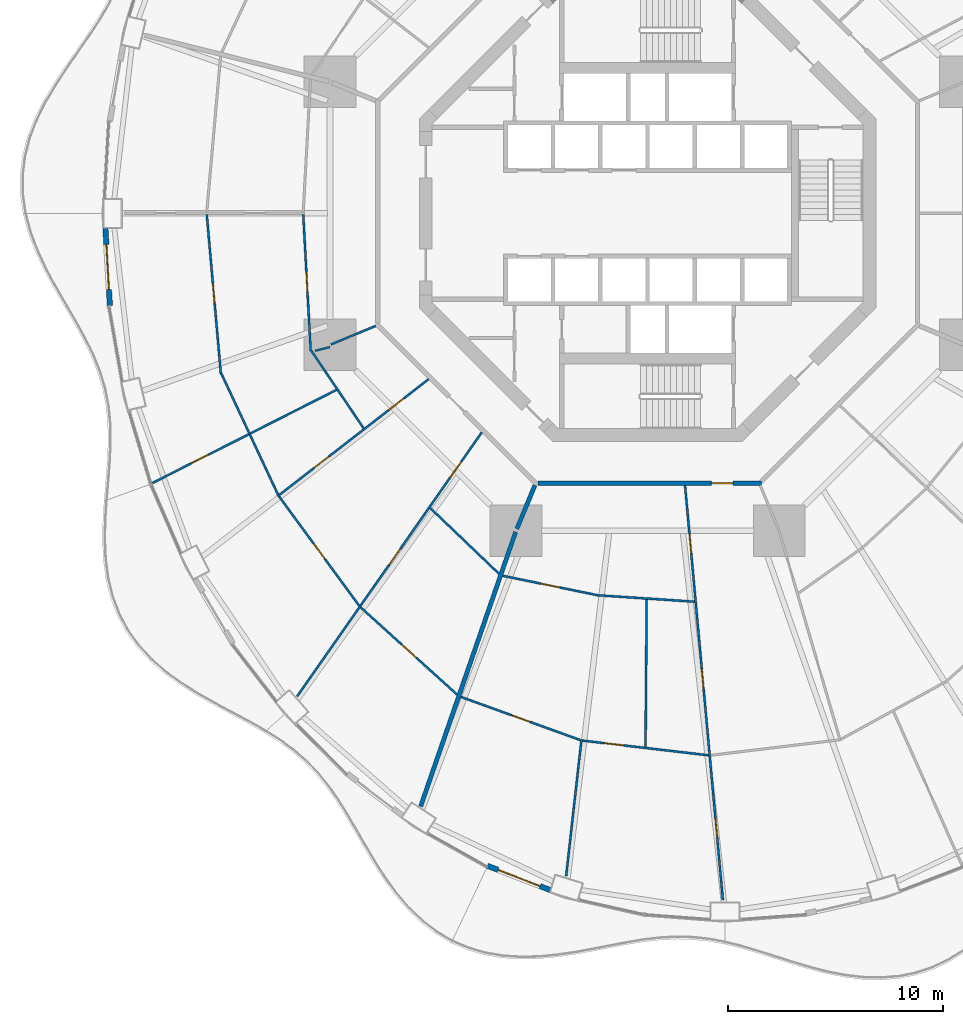
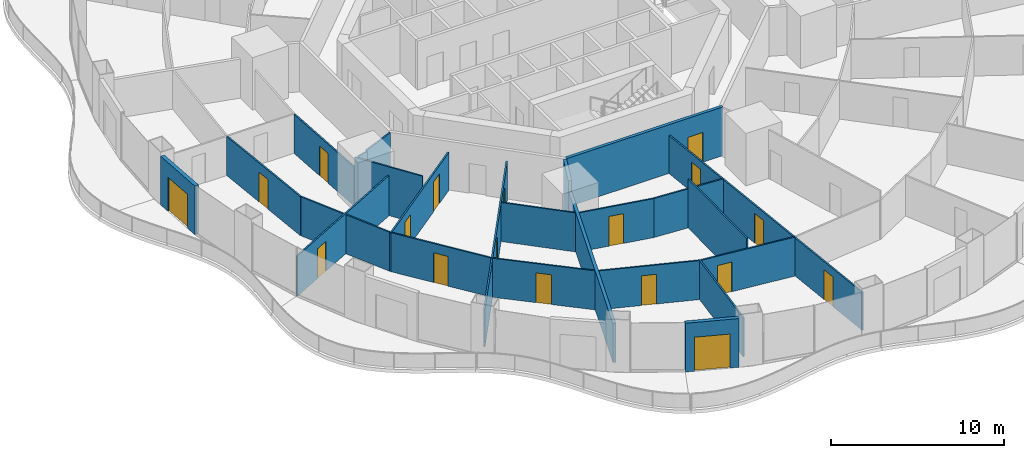
# One storey, part 14 of 22: 24 walls, 18 doors, 18 openings.
"""IFC4 building model written with IfcOpenShell, lengths in metres."""

from ifc_helpers import new_model, si_unit, direction, frame, frame_2d, origin, place, context, subcontext, project, spatial, rectangle, extrude, material, layer, layer_set, type_object, element, fill, save


model = new_model("IFC4")

# Units and contexts
model_context = context("Model", 3, precision=1e-05, world=origin(), true_north=direction((0.0, 1.0)))
body_context = subcontext(model_context, "Body", "Model", "MODEL_VIEW")
ifc_project = project(units=[si_unit("LENGTHUNIT", "METRE"), si_unit("AREAUNIT", "SQUARE_METRE"), si_unit("VOLUMEUNIT", "CUBIC_METRE"), si_unit("PLANEANGLEUNIT", "RADIAN"), si_unit("MASSUNIT", "GRAM", prefix="KILO")], contexts=[model_context])

# Site, building, storey
site_placement = place(None, origin())
site = spatial("IfcSite", under=ifc_project, at=site_placement, CompositionType="ELEMENT")
building_placement = place(site_placement, origin())
building = spatial("IfcBuilding", under=site, at=building_placement, Name="Nagisa Residences", CompositionType="ELEMENT")
storey_placement = place(building_placement, frame((0.0, 0.0, 34.39990234375)))
storey = spatial("IfcBuildingStorey", under=building, at=storey_placement, Name="L07", CompositionType="ELEMENT", Elevation=34.39990234375)

# Walls
ifc_material_1 = material(Name="Gypsum board on steel studs", Category="steel")
ifc_layer_1 = layer(ifc_material_1, 0.199951171875)
ifc_layer_set_1 = layer_set([ifc_layer_1], Name="Apartment compartment wall EI60 200")
wall_type_1 = type_object("IfcWallType", Name="Apartment compartment wall EI60 200", PredefinedType="PARTITIONING", material=ifc_layer_set_1)
wall_1_placement = place(storey_placement, frame((-5.24267578125, -12.6572265625, 0.0), z_axis=(0.0, 0.0, 1.0), x_axis=(-0.382668627144, -0.923885664896, 0.0)))
element("IfcWall", 1, at=wall_1_placement, inside=storey, type_object=wall_type_1, Name="wall:L07:u04", PredefinedType="PARTITIONING", context=body_context, shape_type="SweptSolid", body=[
    extrude(rectangle(XDim=2.200439453125, YDim=0.199951171875, at=frame_2d((1.10009765625, 0.0))), origin(), (0.0, 0.0, 1.0), 3.440185546875),
])
wall_2_placement = place(storey_placement, frame((-6.139404296875, -14.829345703125, 0.0), z_axis=(0.0, 0.0, 1.0), x_axis=(-0.327178799566, -0.944962450637, 0.0)))
element("IfcWall", 2, at=wall_2_placement, inside=storey, type_object=wall_type_1, Name="wall:L07:u05", PredefinedType="PARTITIONING", context=body_context, shape_type="SweptSolid", body=[
    extrude(rectangle(XDim=13.517333984375, YDim=0.199951171875, at=frame_2d((6.7587890625, 0.0))), origin(), (0.0, 0.0, 1.0), 2.756103515625),
])

# Wall, opening, door
ifc_material_2 = material(Name="Gypsum board on steel studs", Category="steel")
ifc_layer_2 = layer(ifc_material_2, 0.199951171875)
ifc_layer_set_2 = layer_set([ifc_layer_2], Name="Apartment entry wall EI60 200")
wall_type_2 = type_object("IfcWallType", Name="Apartment entry wall EI60 200", PredefinedType="PARTITIONING", material=ifc_layer_set_2)
wall_3_placement = place(storey_placement, frame((-5.1044921875, -12.564697265625, 0.0), z_axis=(0.0, 0.0, 1.0), x_axis=(1.0, 0.0, 0.0)))
wall_3 = element("IfcWall", 3, at=wall_3_placement, inside=storey, type_object=wall_type_2, Name="wall:L07:u14", PredefinedType="PARTITIONING", context=body_context, shape_type="SweptSolid", body=[
    extrude(rectangle(XDim=10.408935546875, YDim=0.199951171875, at=frame_2d((5.20458984375, 0.0))), origin(), (0.0, 0.0, 1.0), 3.440185546875),
])
opening_1_placement = place(wall_3_placement, frame((8.07421875, 0.0, 0.0)))
opening_1 = element("IfcOpeningElement", 4, at=opening_1_placement, cuts=wall_3, Name="Opening L07-U40", PredefinedType="OPENING", context=body_context, shape_type="SweptSolid", body=[
    extrude(rectangle(XDim=1.0, YDim=2.10009765625, at=frame_2d((0.5, 1.050048828125))), frame((0.0, 0.10986328125, 0.0), z_axis=(0.0, -1.0, 0.0), x_axis=(1.0, 0.0, 0.0)), (0.0, 0.0, 1.0), 0.219970703125),
])
ifc_material_3 = material(Name="Timber fire door set", Category="wood")
door_type_1 = type_object("IfcDoorType", Name="Apartment entry door FD30S 1000x2100", OperationType="NOTDEFINED", PredefinedType="DOOR", material=ifc_material_3)
door_1_placement = place(opening_1_placement, frame((1.0, 0.0, 0.0), x_axis=(-1.0, 0.0, 0.0)))
door_1 = element("IfcDoor", 5, at=door_1_placement, inside=storey, type_object=door_type_1, Name="Entry door, Apartment 07D", OperationType="SINGLE_SWING_LEFT", OverallHeight=2.10009765625, OverallWidth=1.0, PredefinedType="DOOR", context=body_context, shape_type="SweptSolid", body=[
    extrude(rectangle(XDim=1.0, YDim=2.10009765625, at=frame_2d((0.5, 1.050048828125))), frame((0.0, 0.02490234375, 0.0), z_axis=(0.0, -1.0, 0.0), x_axis=(1.0, 0.0, 0.0)), (0.0, 0.0, 1.0), 0.050048828125),
])
fill(opening_1, door_1)

ifc_material_4 = material(Name="Gypsum board on steel studs", Category="steel")
ifc_layer_3 = layer(ifc_material_4, 0.10009765625)
ifc_layer_set_3 = layer_set([ifc_layer_3], Name="Apartment partition 100")
wall_type_3 = type_object("IfcWallType", Name="Apartment partition 100", PredefinedType="PARTITIONING", material=ifc_layer_set_3)
wall_4_placement = place(storey_placement, frame((-16.027587890625, -0.050048828125, 0.0), z_axis=(0.0, 0.0, 1.0), x_axis=(0.054636410342, -0.998506315786, 0.0)))
wall_4 = element("IfcWall", 6, at=wall_4_placement, inside=storey, type_object=wall_type_3, Name="wall:L07:u59", PredefinedType="PARTITIONING", context=body_context, shape_type="SweptSolid", body=[
    extrude(rectangle(XDim=6.358642578125, YDim=0.10009765625, at=frame_2d((3.17919921875, 0.0))), origin(), (0.0, 0.0, 1.0), 2.756103515625),
])
opening_2_placement = place(wall_4_placement, frame((2.704345703125, 0.0, 0.0)))
opening_2 = element("IfcOpeningElement", 7, at=opening_2_placement, cuts=wall_4, Name="Opening L07-U38", PredefinedType="OPENING", context=body_context, shape_type="SweptSolid", body=[
    extrude(rectangle(XDim=0.89990234375, YDim=2.10009765625, at=frame_2d((0.449951171875, 1.050048828125))), frame((0.0, 0.06005859375, 0.0), z_axis=(0.0, -1.0, 0.0), x_axis=(1.0, 0.0, 0.0)), (0.0, 0.0, 1.0), 0.1201171875),
])
ifc_material_5 = material(Name="Timber door set", Category="wood")
door_type_2 = type_object("IfcDoorType", Name="Apartment door 900x2100", OperationType="NOTDEFINED", PredefinedType="DOOR", material=ifc_material_5)
door_2_placement = place(opening_2_placement, origin())
door_2 = element("IfcDoor", 8, at=door_2_placement, inside=storey, type_object=door_type_2, Name="Door to store, Apartment 07C", OperationType="SINGLE_SWING_RIGHT", OverallHeight=2.10009765625, OverallWidth=0.89990234375, PredefinedType="DOOR", context=body_context, shape_type="SweptSolid", body=[
    extrude(rectangle(XDim=0.89990234375, YDim=2.10009765625, at=frame_2d((0.449951171875, 1.050048828125))), frame((0.0, 0.02490234375, 0.0), z_axis=(0.0, -1.0, 0.0), x_axis=(1.0, 0.0, 0.0)), (0.0, 0.0, 1.0), 0.050048828125),
])
fill(opening_2, door_2)

wall_5_placement = place(storey_placement, frame((-20.518310546875, -0.0498046875, 0.0), z_axis=(0.0, 0.0, 1.0), x_axis=(0.088138375539, -0.996108240483, 0.0)))
wall_5 = element("IfcWall", 9, at=wall_5_placement, inside=storey, type_object=wall_type_3, Name="wall:L07:u60", PredefinedType="PARTITIONING", context=body_context, shape_type="SweptSolid", body=[
    extrude(rectangle(XDim=7.428955078125, YDim=0.10009765625, at=frame_2d((3.71435546875, 0.0))), origin(), (0.0, 0.0, 1.0), 2.756103515625),
])
opening_3_placement = place(wall_5_placement, frame((3.239501953125, 0.0, 0.0)))
opening_3 = element("IfcOpeningElement", 10, at=opening_3_placement, cuts=wall_5, Name="Opening L07-U36", PredefinedType="OPENING", context=body_context, shape_type="SweptSolid", body=[
    extrude(rectangle(XDim=0.89990234375, YDim=2.10009765625, at=frame_2d((0.449951171875, 1.050048828125))), frame((0.0, 0.06005859375, 0.0), z_axis=(0.0, -1.0, 0.0), x_axis=(1.0, 0.0, 0.0)), (0.0, 0.0, 1.0), 0.1201171875),
])
door_3_placement = place(opening_3_placement, origin())
door_3 = element("IfcDoor", 11, at=door_3_placement, inside=storey, type_object=door_type_2, Name="Door to dining room, Apartment 07C", OperationType="SINGLE_SWING_RIGHT", OverallHeight=2.10009765625, OverallWidth=0.89990234375, PredefinedType="DOOR", context=body_context, shape_type="SweptSolid", body=[
    extrude(rectangle(XDim=0.89990234375, YDim=2.10009765625, at=frame_2d((0.449951171875, 1.050048828125))), frame((0.0, 0.02490234375, 0.0), z_axis=(0.0, -1.0, 0.0), x_axis=(1.0, 0.0, 0.0)), (0.0, 0.0, 1.0), 0.050048828125),
])
fill(opening_3, door_3)

# Walls
wall_6_placement = place(storey_placement, frame((-12.6572265625, -5.24267578125, 0.0), z_axis=(0.0, 0.0, 1.0), x_axis=(-0.923864733477, -0.382719158442, 0.0)))
element("IfcWall", 12, at=wall_6_placement, inside=storey, type_object=wall_type_3, Name="wall:L07:u61", PredefinedType="PARTITIONING", context=body_context, shape_type="SweptSolid", body=[
    extrude(rectangle(XDim=2.25, YDim=0.10009765625, at=frame_2d((1.125, 0.0))), origin(), (0.0, 0.0, 1.0), 3.440185546875),
])
wall_7_placement = place(storey_placement, frame((-15.655029296875, -6.390625, 0.0), z_axis=(0.0, 0.0, 1.0), x_axis=(0.559126445155, -0.82908239538, 0.0)))
element("IfcWall", 13, at=wall_7_placement, inside=storey, type_object=wall_type_3, Name="wall:L07:u62", PredefinedType="PARTITIONING", context=body_context, shape_type="SweptSolid", body=[
    extrude(rectangle(XDim=4.358154296875, YDim=0.10009765625, at=frame_2d((2.17919921875, 0.0))), origin(), (0.0, 0.0, 1.0), 3.440185546875),
])
wall_8_placement = place(storey_placement, frame((-19.8466796875, -7.4453125, 0.0), z_axis=(0.0, 0.0, 1.0), x_axis=(0.423892287987, -0.905712607942, 0.0)))
element("IfcWall", 14, at=wall_8_placement, inside=storey, type_object=wall_type_3, Name="wall:L07:u63", PredefinedType="PARTITIONING", context=body_context, shape_type="SweptSolid", body=[
    extrude(rectangle(XDim=6.237548828125, YDim=0.10009765625, at=frame_2d((3.11865234375, 0.0))), origin(), (0.0, 0.0, 1.0), 2.756103515625),
])

# Wall, opening, door
wall_9_placement = place(storey_placement, frame((-14.481201171875, -8.2197265625, 0.0), z_axis=(0.0, 0.0, 1.0), x_axis=(-0.892232077638, -0.451577146935, 0.0)))
wall_9 = element("IfcWall", 15, at=wall_9_placement, inside=storey, type_object=wall_type_3, Name="wall:L07:u64", PredefinedType="PARTITIONING", context=body_context, shape_type="SweptSolid", body=[
    extrude(rectangle(XDim=9.723388671875, YDim=0.10009765625, at=frame_2d((4.86181640625, 0.0))), origin(), (0.0, 0.0, 1.0), 2.837158203125),
])
opening_4_placement = place(wall_9_placement, frame((6.678466796875, 0.0, 0.0)))
opening_4 = element("IfcOpeningElement", 16, at=opening_4_placement, cuts=wall_9, Name="Opening L07-U35", PredefinedType="OPENING", context=body_context, shape_type="SweptSolid", body=[
    extrude(rectangle(XDim=0.89990234375, YDim=2.10009765625, at=frame_2d((0.449951171875, 1.050048828125))), frame((0.0, 0.06005859375, 0.0), z_axis=(0.0, -1.0, 0.0), x_axis=(1.0, 0.0, 0.0)), (0.0, 0.0, 1.0), 0.1201171875),
])
door_4_placement = place(opening_4_placement, frame((0.89990234375, 0.0, 0.0), x_axis=(-1.0, 0.0, 0.0)))
door_4 = element("IfcDoor", 17, at=door_4_placement, inside=storey, type_object=door_type_2, Name="Door to family room, Apartment 07C", OperationType="SINGLE_SWING_RIGHT", OverallHeight=2.10009765625, OverallWidth=0.89990234375, PredefinedType="DOOR", context=body_context, shape_type="SweptSolid", body=[
    extrude(rectangle(XDim=0.89990234375, YDim=2.10009765625, at=frame_2d((0.449951171875, 1.050048828125))), frame((0.0, 0.02490234375, 0.0), z_axis=(0.0, -1.0, 0.0), x_axis=(1.0, 0.0, 0.0)), (0.0, 0.0, 1.0), 0.050048828125),
])
fill(opening_4, door_4)

# Wall, openings, doors
wall_10_placement = place(storey_placement, frame((-10.1904296875, -7.71923828125, 0.0), z_axis=(0.0, 0.0, 1.0), x_axis=(-0.790264549439, -0.612765813259, 0.0)))
wall_10 = element("IfcWall", 18, at=wall_10_placement, inside=storey, type_object=wall_type_3, Name="wall:L07:u65", PredefinedType="PARTITIONING", context=body_context, shape_type="SweptSolid", body=[
    extrude(rectangle(XDim=8.896484375, YDim=0.10009765625, at=frame_2d((4.4482421875, 0.0))), origin(), (0.0, 0.0, 1.0), 2.68701171875),
])
opening_5_placement = place(wall_10_placement, frame((1.447998046875, 0.0, 0.0)))
opening_5 = element("IfcOpeningElement", 19, at=opening_5_placement, cuts=wall_10, Name="Opening L07-U29", PredefinedType="OPENING", context=body_context, shape_type="SweptSolid", body=[
    extrude(rectangle(XDim=0.89990234375, YDim=2.10009765625, at=frame_2d((0.449951171875, 1.050048828125))), frame((0.0, 0.06005859375, 0.0), z_axis=(0.0, -1.0, 0.0), x_axis=(1.0, 0.0, 0.0)), (0.0, 0.0, 1.0), 0.1201171875),
])
opening_6_placement = place(wall_10_placement, frame((5.871337890625, 0.0, 0.0)))
opening_6 = element("IfcOpeningElement", 20, at=opening_6_placement, cuts=wall_10, Name="Opening L07-U31", PredefinedType="OPENING", context=body_context, shape_type="SweptSolid", body=[
    extrude(rectangle(XDim=0.89990234375, YDim=2.10009765625, at=frame_2d((0.449951171875, 1.050048828125))), frame((0.0, 0.06005859375, 0.0), z_axis=(0.0, -1.0, 0.0), x_axis=(1.0, 0.0, 0.0)), (0.0, 0.0, 1.0), 0.1201171875),
])
door_5_placement = place(opening_5_placement, frame((0.89990234375, 0.0, 0.0), x_axis=(-1.0, 0.0, 0.0)))
door_5 = element("IfcDoor", 21, at=door_5_placement, inside=storey, type_object=door_type_2, Name="Door to family bathroom, Apartment 07C", OperationType="SINGLE_SWING_RIGHT", OverallHeight=2.10009765625, OverallWidth=0.89990234375, PredefinedType="DOOR", context=body_context, shape_type="SweptSolid", body=[
    extrude(rectangle(XDim=0.89990234375, YDim=2.10009765625, at=frame_2d((0.449951171875, 1.050048828125))), frame((0.0, 0.02490234375, 0.0), z_axis=(0.0, -1.0, 0.0), x_axis=(1.0, 0.0, 0.0)), (0.0, 0.0, 1.0), 0.050048828125),
])
fill(opening_5, door_5)
door_6_placement = place(opening_6_placement, frame((0.89990234375, 0.0, 0.0), x_axis=(-1.0, 0.0, 0.0)))
door_6 = element("IfcDoor", 22, at=door_6_placement, inside=storey, type_object=door_type_2, Name="Door to family bathroom, Apartment 07C", OperationType="SINGLE_SWING_RIGHT", OverallHeight=2.10009765625, OverallWidth=0.89990234375, PredefinedType="DOOR", context=body_context, shape_type="SweptSolid", body=[
    extrude(rectangle(XDim=0.89990234375, YDim=2.10009765625, at=frame_2d((0.449951171875, 1.050048828125))), frame((0.0, 0.02490234375, 0.0), z_axis=(0.0, -1.0, 0.0), x_axis=(1.0, 0.0, 0.0)), (0.0, 0.0, 1.0), 0.050048828125),
])
fill(opening_6, door_6)

# Wall, opening, door
wall_11_placement = place(storey_placement, frame((-17.15185546875, -13.180419921875, 0.0), z_axis=(0.0, 0.0, 1.0), x_axis=(0.591222750954, -0.806508312886, 0.0)))
wall_11 = element("IfcWall", 23, at=wall_11_placement, inside=storey, type_object=wall_type_3, Name="wall:L07:u66", PredefinedType="PARTITIONING", context=body_context, shape_type="SweptSolid", body=[
    extrude(rectangle(XDim=6.309814453125, YDim=0.10009765625, at=frame_2d((3.15478515625, 0.0))), origin(), (0.0, 0.0, 1.0), 2.756103515625),
])
opening_7_placement = place(wall_11_placement, frame((2.705078125, 0.0, 0.0)))
opening_7 = element("IfcOpeningElement", 24, at=opening_7_placement, cuts=wall_11, Name="Opening L07-U33", PredefinedType="OPENING", context=body_context, shape_type="SweptSolid", body=[
    extrude(rectangle(XDim=0.89990234375, YDim=2.10009765625, at=frame_2d((0.449951171875, 1.050048828125))), frame((0.0, 0.06005859375, 0.0), z_axis=(0.0, -1.0, 0.0), x_axis=(1.0, 0.0, 0.0)), (0.0, 0.0, 1.0), 0.1201171875),
])
door_7_placement = place(opening_7_placement, frame((0.89990234375, 0.0, 0.0), x_axis=(-1.0, 0.0, 0.0)))
door_7 = element("IfcDoor", 25, at=door_7_placement, inside=storey, type_object=door_type_2, Name="Door to dining room, Apartment 07C", OperationType="SINGLE_SWING_RIGHT", OverallHeight=2.10009765625, OverallWidth=0.89990234375, PredefinedType="DOOR", context=body_context, shape_type="SweptSolid", body=[
    extrude(rectangle(XDim=0.89990234375, YDim=2.10009765625, at=frame_2d((0.449951171875, 1.050048828125))), frame((0.0, 0.02490234375, 0.0), z_axis=(0.0, -1.0, 0.0), x_axis=(1.0, 0.0, 0.0)), (0.0, 0.0, 1.0), 0.050048828125),
])
fill(opening_7, door_7)

# Wall, openings, doors
wall_12_placement = place(storey_placement, frame((-7.71533203125, -10.193359375, 0.0), z_axis=(0.0, 0.0, 1.0), x_axis=(-0.573126964124, -0.819466584428, 0.0)))
wall_12 = element("IfcWall", 26, at=wall_12_placement, inside=storey, type_object=wall_type_3, Name="wall:L07:u67", PredefinedType="PARTITIONING", context=body_context, shape_type="SweptSolid", body=[
    extrude(rectangle(XDim=15.0009765625, YDim=0.10009765625, at=frame_2d((7.50048828125, 0.0))), origin(), (0.0, 0.0, 1.0), 2.68701171875),
])
opening_8_placement = place(wall_12_placement, frame((1.678466796875, 0.0, 0.0)))
opening_8 = element("IfcOpeningElement", 27, at=opening_8_placement, cuts=wall_12, Name="Opening L07-U30", PredefinedType="OPENING", context=body_context, shape_type="SweptSolid", body=[
    extrude(rectangle(XDim=0.89990234375, YDim=2.10009765625, at=frame_2d((0.449951171875, 1.050048828125))), frame((0.0, 0.06005859375, 0.0), z_axis=(0.0, -1.0, 0.0), x_axis=(1.0, 0.0, 0.0)), (0.0, 0.0, 1.0), 0.1201171875),
])
opening_9_placement = place(wall_12_placement, frame((6.630615234375, 0.0, 0.0)))
opening_9 = element("IfcOpeningElement", 28, at=opening_9_placement, cuts=wall_12, Name="Opening L07-U32", PredefinedType="OPENING", context=body_context, shape_type="SweptSolid", body=[
    extrude(rectangle(XDim=0.89990234375, YDim=2.10009765625, at=frame_2d((0.449951171875, 1.050048828125))), frame((0.0, 0.06005859375, 0.0), z_axis=(0.0, -1.0, 0.0), x_axis=(1.0, 0.0, 0.0)), (0.0, 0.0, 1.0), 0.1201171875),
])
door_8_placement = place(opening_8_placement, origin())
door_8 = element("IfcDoor", 29, at=door_8_placement, inside=storey, type_object=door_type_2, Name="Door to family bathroom, Apartment 07C", OperationType="SINGLE_SWING_RIGHT", OverallHeight=2.10009765625, OverallWidth=0.89990234375, PredefinedType="DOOR", context=body_context, shape_type="SweptSolid", body=[
    extrude(rectangle(XDim=0.89990234375, YDim=2.10009765625, at=frame_2d((0.449951171875, 1.050048828125))), frame((0.0, 0.02490234375, 0.0), z_axis=(0.0, -1.0, 0.0), x_axis=(1.0, 0.0, 0.0)), (0.0, 0.0, 1.0), 0.050048828125),
])
fill(opening_8, door_8)
door_9_placement = place(opening_9_placement, origin())
door_9 = element("IfcDoor", 30, at=door_9_placement, inside=storey, type_object=door_type_2, Name="Door to family room, Apartment 07C", OperationType="SINGLE_SWING_RIGHT", OverallHeight=2.10009765625, OverallWidth=0.89990234375, PredefinedType="DOOR", context=body_context, shape_type="SweptSolid", body=[
    extrude(rectangle(XDim=0.89990234375, YDim=2.10009765625, at=frame_2d((0.449951171875, 1.050048828125))), frame((0.0, 0.02490234375, 0.0), z_axis=(0.0, -1.0, 0.0), x_axis=(1.0, 0.0, 0.0)), (0.0, 0.0, 1.0), 0.050048828125),
])
fill(opening_9, door_9)

# Wall
wall_13_placement = place(storey_placement, frame((-10.118896484375, -13.716064453125, 0.0), z_axis=(0.0, 0.0, 1.0), x_axis=(0.722775679202, -0.691082713975, 0.0)))
element("IfcWall", 31, at=wall_13_placement, inside=storey, type_object=wall_type_3, Name="wall:L07:u68", PredefinedType="PARTITIONING", context=body_context, shape_type="SweptSolid", body=[
    extrude(rectangle(XDim=4.43701171875, YDim=0.10009765625, at=frame_2d((2.218505859375, 0.0))), origin(), (0.0, 0.0, 1.0), 2.756103515625),
])

# Wall, opening, door
wall_14_placement = place(storey_placement, frame((-13.354736328125, -18.34326171875, 0.0), z_axis=(0.0, 0.0, 1.0), x_axis=(0.741713303551, -0.670717060567, 0.0)))
wall_14 = element("IfcWall", 32, at=wall_14_placement, inside=storey, type_object=wall_type_3, Name="wall:L07:u69", PredefinedType="PARTITIONING", context=body_context, shape_type="SweptSolid", body=[
    extrude(rectangle(XDim=6.05908203125, YDim=0.10009765625, at=frame_2d((3.029541015625, 0.0))), origin(), (0.0, 0.0, 1.0), 2.756103515625),
])
opening_10_placement = place(wall_14_placement, frame((2.57958984375, 0.0, 0.0)))
opening_10 = element("IfcOpeningElement", 33, at=opening_10_placement, cuts=wall_14, Name="Opening L07-U34", PredefinedType="OPENING", context=body_context, shape_type="SweptSolid", body=[
    extrude(rectangle(XDim=0.89990234375, YDim=2.10009765625, at=frame_2d((0.449951171875, 1.050048828125))), frame((0.0, 0.06005859375, 0.0), z_axis=(0.0, -1.0, 0.0), x_axis=(1.0, 0.0, 0.0)), (0.0, 0.0, 1.0), 0.1201171875),
])
door_10_placement = place(opening_10_placement, frame((0.89990234375, 0.0, 0.0), x_axis=(-1.0, 0.0, 0.0)))
door_10 = element("IfcDoor", 34, at=door_10_placement, inside=storey, type_object=door_type_2, Name="Door to master bedroom, Apartment 07C", OperationType="SINGLE_SWING_LEFT", OverallHeight=2.10009765625, OverallWidth=0.89990234375, PredefinedType="DOOR", context=body_context, shape_type="SweptSolid", body=[
    extrude(rectangle(XDim=0.89990234375, YDim=2.10009765625, at=frame_2d((0.449951171875, 1.050048828125))), frame((0.0, 0.02490234375, 0.0), z_axis=(0.0, -1.0, 0.0), x_axis=(1.0, 0.0, 0.0)), (0.0, 0.0, 1.0), 0.050048828125),
])
fill(opening_10, door_10)

wall_15_placement = place(storey_placement, frame((-6.741455078125, -16.871826171875, 0.0), z_axis=(0.0, 0.0, 1.0), x_axis=(0.979595137747, -0.200981009307, 0.0)))
wall_15 = element("IfcWall", 35, at=wall_15_placement, inside=storey, type_object=wall_type_3, Name="wall:L07:u70", PredefinedType="PARTITIONING", context=body_context, shape_type="SweptSolid", body=[
    extrude(rectangle(XDim=4.5625, YDim=0.10009765625, at=frame_2d((2.28125, 0.0))), origin(), (0.0, 0.0, 1.0), 2.756103515625),
])
opening_11_placement = place(wall_15_placement, frame((1.806396484375, 0.0, 0.0)))
opening_11 = element("IfcOpeningElement", 36, at=opening_11_placement, cuts=wall_15, Name="Opening L07-U44", PredefinedType="OPENING", context=body_context, shape_type="SweptSolid", body=[
    extrude(rectangle(XDim=0.89990234375, YDim=2.10009765625, at=frame_2d((0.449951171875, 1.050048828125))), frame((0.0, 0.06005859375, 0.0), z_axis=(0.0, -1.0, 0.0), x_axis=(1.0, 0.0, 0.0)), (0.0, 0.0, 1.0), 0.1201171875),
])
door_11_placement = place(opening_11_placement, frame((0.89990234375, 0.0, 0.0), x_axis=(-1.0, 0.0, 0.0)))
door_11 = element("IfcDoor", 37, at=door_11_placement, inside=storey, type_object=door_type_2, Name="Door to dining room, Apartment 07D", OperationType="SINGLE_SWING_LEFT", OverallHeight=2.10009765625, OverallWidth=0.89990234375, PredefinedType="DOOR", context=body_context, shape_type="SweptSolid", body=[
    extrude(rectangle(XDim=0.89990234375, YDim=2.10009765625, at=frame_2d((0.449951171875, 1.050048828125))), frame((0.0, 0.02490234375, 0.0), z_axis=(0.0, -1.0, 0.0), x_axis=(1.0, 0.0, 0.0)), (0.0, 0.0, 1.0), 0.050048828125),
])
fill(opening_11, door_11)

wall_16_placement = place(storey_placement, frame((-8.6923828125, -22.50830078125, 0.0), z_axis=(0.0, 0.0, 1.0), x_axis=(0.940401494588, -0.340066212636, 0.0)))
wall_16 = element("IfcWall", 38, at=wall_16_placement, inside=storey, type_object=wall_type_3, Name="wall:L07:u71", PredefinedType="PARTITIONING", context=body_context, shape_type="SweptSolid", body=[
    extrude(rectangle(XDim=5.9169921875, YDim=0.10009765625, at=frame_2d((2.95849609375, 0.0))), origin(), (0.0, 0.0, 1.0), 2.756103515625),
])
opening_12_placement = place(wall_16_placement, frame((2.508544921875, 0.0, 0.0)))
opening_12 = element("IfcOpeningElement", 39, at=opening_12_placement, cuts=wall_16, Name="Opening L07-U49", PredefinedType="OPENING", context=body_context, shape_type="SweptSolid", body=[
    extrude(rectangle(XDim=0.89990234375, YDim=2.10009765625, at=frame_2d((0.449951171875, 1.050048828125))), frame((0.0, 0.06005859375, 0.0), z_axis=(0.0, -1.0, 0.0), x_axis=(1.0, 0.0, 0.0)), (0.0, 0.0, 1.0), 0.1201171875),
])
door_12_placement = place(opening_12_placement, frame((0.89990234375, 0.0, 0.0), x_axis=(-1.0, 0.0, 0.0)))
door_12 = element("IfcDoor", 40, at=door_12_placement, inside=storey, type_object=door_type_2, Name="Door to master bedroom, Apartment 07D", OperationType="SINGLE_SWING_RIGHT", OverallHeight=2.10009765625, OverallWidth=0.89990234375, PredefinedType="DOOR", context=body_context, shape_type="SweptSolid", body=[
    extrude(rectangle(XDim=0.89990234375, YDim=2.10009765625, at=frame_2d((0.449951171875, 1.050048828125))), frame((0.0, 0.02490234375, 0.0), z_axis=(0.0, -1.0, 0.0), x_axis=(1.0, 0.0, 0.0)), (0.0, 0.0, 1.0), 0.050048828125),
])
fill(opening_12, door_12)

# Walls
wall_17_placement = place(storey_placement, frame((-2.27099609375, -17.781982421875, 0.0), z_axis=(0.0, 0.0, 1.0), x_axis=(0.997791437766, -0.066424744789, 0.0)))
element("IfcWall", 41, at=wall_17_placement, inside=storey, type_object=wall_type_3, Name="wall:L07:u72", PredefinedType="PARTITIONING", context=body_context, shape_type="SweptSolid", body=[
    extrude(rectangle(XDim=4.46923828125, YDim=0.10009765625, at=frame_2d((2.234619140625, 0.0))), origin(), (0.0, 0.0, 1.0), 2.756103515625),
])
wall_18_placement = place(storey_placement, frame((-3.0751953125, -24.48779296875, 0.0), z_axis=(0.0, 0.0, 1.0), x_axis=(-0.111705235978, -0.993741384997, 0.0)))
element("IfcWall", 42, at=wall_18_placement, inside=storey, type_object=wall_type_3, Name="wall:L07:u73", PredefinedType="PARTITIONING", context=body_context, shape_type="SweptSolid", body=[
    extrude(rectangle(XDim=6.39501953125, YDim=0.10009765625, at=frame_2d((3.197509765625, 0.0))), origin(), (0.0, 0.0, 1.0), 2.756103515625),
])

# Wall, opening, door
wall_19_placement = place(storey_placement, frame((-3.03125, -24.543212890625, 0.0), z_axis=(0.0, 0.0, 1.0), x_axis=(0.993255612046, -0.115945198862, 0.0)))
wall_19 = element("IfcWall", 43, at=wall_19_placement, inside=storey, type_object=wall_type_3, Name="wall:L07:u74", PredefinedType="PARTITIONING", context=body_context, shape_type="SweptSolid", body=[
    extrude(rectangle(XDim=5.91259765625, YDim=0.10009765625, at=frame_2d((2.956298828125, 0.0))), origin(), (0.0, 0.0, 1.0), 2.756103515625),
])
opening_13_placement = place(wall_19_placement, frame((1.028076171875, 0.0, 0.0)))
opening_13 = element("IfcOpeningElement", 44, at=opening_13_placement, cuts=wall_19, Name="Opening L07-U50", PredefinedType="OPENING", context=body_context, shape_type="SweptSolid", body=[
    extrude(rectangle(XDim=0.89990234375, YDim=2.10009765625, at=frame_2d((0.449951171875, 1.050048828125))), frame((0.0, 0.06005859375, 0.0), z_axis=(0.0, -1.0, 0.0), x_axis=(1.0, 0.0, 0.0)), (0.0, 0.0, 1.0), 0.1201171875),
])
door_13_placement = place(opening_13_placement, frame((0.89990234375, 0.0, 0.0), x_axis=(-1.0, 0.0, 0.0)))
door_13 = element("IfcDoor", 45, at=door_13_placement, inside=storey, type_object=door_type_2, Name="Door to family room, Apartment 07D", OperationType="SINGLE_SWING_LEFT", OverallHeight=2.10009765625, OverallWidth=0.89990234375, PredefinedType="DOOR", context=body_context, shape_type="SweptSolid", body=[
    extrude(rectangle(XDim=0.89990234375, YDim=2.10009765625, at=frame_2d((0.449951171875, 1.050048828125))), frame((0.0, 0.02490234375, 0.0), z_axis=(0.0, -1.0, 0.0), x_axis=(1.0, 0.0, 0.0)), (0.0, 0.0, 1.0), 0.050048828125),
])
fill(opening_13, door_13)

# Wall
wall_20_placement = place(storey_placement, frame((-0.041748046875, -17.98046875, 0.0), z_axis=(0.0, 0.0, 1.0), x_axis=(-0.007692080119, -0.999970415514, 0.0)))
element("IfcWall", 46, at=wall_20_placement, inside=storey, type_object=wall_type_3, Name="wall:L07:u75", PredefinedType="PARTITIONING", context=body_context, shape_type="SweptSolid", body=[
    extrude(rectangle(XDim=6.855712890625, YDim=0.10009765625, at=frame_2d((3.427734375, 0.0))), origin(), (0.0, 0.0, 1.0), 3.440185546875),
])

# Wall, openings, doors
wall_21_placement = place(storey_placement, frame((1.743896484375, -12.664306640625, 0.0), z_axis=(0.0, 0.0, 1.0), x_axis=(0.090893639596, -0.995860605849, 0.0)))
wall_21 = element("IfcWall", 47, at=wall_21_placement, inside=storey, type_object=wall_type_3, Name="wall:L07:u76", PredefinedType="PARTITIONING", context=body_context, shape_type="SweptSolid", body=[
    extrude(rectangle(XDim=19.3740234375, YDim=0.10009765625, at=frame_2d((9.68701171875, 0.0))), origin(), (0.0, 0.0, 1.0), 2.68701171875),
])
opening_14_placement = place(wall_21_placement, frame((2.270263671875, 0.0, 0.0)))
opening_14 = element("IfcOpeningElement", 48, at=opening_14_placement, cuts=wall_21, Name="Opening L07-U41", PredefinedType="OPENING", context=body_context, shape_type="SweptSolid", body=[
    extrude(rectangle(XDim=0.89990234375, YDim=2.10009765625, at=frame_2d((0.449951171875, 1.050048828125))), frame((0.0, 0.06005859375, 0.0), z_axis=(0.0, -1.0, 0.0), x_axis=(1.0, 0.0, 0.0)), (0.0, 0.0, 1.0), 0.1201171875),
])
opening_15_placement = place(wall_21_placement, frame((8.58154296875, 0.0, 0.0)))
opening_15 = element("IfcOpeningElement", 49, at=opening_15_placement, cuts=wall_21, Name="Opening L07-U45", PredefinedType="OPENING", context=body_context, shape_type="SweptSolid", body=[
    extrude(rectangle(XDim=0.89990234375, YDim=2.10009765625, at=frame_2d((0.449951171875, 1.050048828125))), frame((0.0, 0.06005859375, 0.0), z_axis=(0.0, -1.0, 0.0), x_axis=(1.0, 0.0, 0.0)), (0.0, 0.0, 1.0), 0.1201171875),
])
opening_16_placement = place(wall_21_placement, frame((15.54833984375, 0.0, 0.0)))
opening_16 = element("IfcOpeningElement", 50, at=opening_16_placement, cuts=wall_21, Name="Opening L07-U51", PredefinedType="OPENING", context=body_context, shape_type="SweptSolid", body=[
    extrude(rectangle(XDim=0.89990234375, YDim=2.10009765625, at=frame_2d((0.449951171875, 1.050048828125))), frame((0.0, 0.06005859375, 0.0), z_axis=(0.0, -1.0, 0.0), x_axis=(1.0, 0.0, 0.0)), (0.0, 0.0, 1.0), 0.1201171875),
])
door_14_placement = place(opening_14_placement, frame((0.89990234375, 0.0, 0.0), x_axis=(-1.0, 0.0, 0.0)))
door_14 = element("IfcDoor", 51, at=door_14_placement, inside=storey, type_object=door_type_2, Name="Door to store, Apartment 07D", OperationType="SINGLE_SWING_RIGHT", OverallHeight=2.10009765625, OverallWidth=0.89990234375, PredefinedType="DOOR", context=body_context, shape_type="SweptSolid", body=[
    extrude(rectangle(XDim=0.89990234375, YDim=2.10009765625, at=frame_2d((0.449951171875, 1.050048828125))), frame((0.0, 0.02490234375, 0.0), z_axis=(0.0, -1.0, 0.0), x_axis=(1.0, 0.0, 0.0)), (0.0, 0.0, 1.0), 0.050048828125),
])
fill(opening_14, door_14)
door_15_placement = place(opening_15_placement, frame((0.89990234375, 0.0, 0.0), x_axis=(-1.0, 0.0, 0.0)))
door_15 = element("IfcDoor", 52, at=door_15_placement, inside=storey, type_object=door_type_2, Name="Door to family bathroom, Apartment 07D", OperationType="SINGLE_SWING_RIGHT", OverallHeight=2.10009765625, OverallWidth=0.89990234375, PredefinedType="DOOR", context=body_context, shape_type="SweptSolid", body=[
    extrude(rectangle(XDim=0.89990234375, YDim=2.10009765625, at=frame_2d((0.449951171875, 1.050048828125))), frame((0.0, 0.02490234375, 0.0), z_axis=(0.0, -1.0, 0.0), x_axis=(1.0, 0.0, 0.0)), (0.0, 0.0, 1.0), 0.050048828125),
])
fill(opening_15, door_15)
door_16_placement = place(opening_16_placement, origin())
door_16 = element("IfcDoor", 53, at=door_16_placement, inside=storey, type_object=door_type_2, Name="Door to dining room, Apartment 07D", OperationType="SINGLE_SWING_LEFT", OverallHeight=2.10009765625, OverallWidth=0.89990234375, PredefinedType="DOOR", context=body_context, shape_type="SweptSolid", body=[
    extrude(rectangle(XDim=0.89990234375, YDim=2.10009765625, at=frame_2d((0.449951171875, 1.050048828125))), frame((0.0, 0.02490234375, 0.0), z_axis=(0.0, -1.0, 0.0), x_axis=(1.0, 0.0, 0.0)), (0.0, 0.0, 1.0), 0.050048828125),
])
fill(opening_16, door_16)

# Wall
wall_22_placement = place(storey_placement, frame((-15.46875, -6.3984375, 0.0), z_axis=(0.0, 0.0, 1.0), x_axis=(0.969858002632, 0.243670791706, 0.0)))
element("IfcWall", 54, at=wall_22_placement, inside=storey, type_object=wall_type_3, Name="wall:L07:u92", PredefinedType="PARTITIONING", context=body_context, shape_type="SweptSolid", body=[
    extrude(rectangle(XDim=0.708251953125, YDim=0.10009765625, at=frame_2d((0.35400390625, 0.0))), origin(), (0.0, 0.0, 1.0), 3.440185546875),
])

# Wall, opening, door
ifc_material_6 = material(Name="Precast concrete C40/50", Category="concrete")
ifc_layer_4 = layer(ifc_material_6, 0.25)
ifc_layer_set_4 = layer_set([ifc_layer_4], Name="BALCONY DOOR WALL 250")
wall_type_4 = type_object("IfcWallType", Name="BALCONY DOOR WALL 250", PredefinedType="SOLIDWALL", material=ifc_layer_set_4)
wall_23_placement = place(storey_placement, frame((-25.027099609375, -4.30029296875, 0.0), z_axis=(0.0, 0.0, 1.0), x_axis=(-0.057478727308, 0.998346731305, 0.0)))
wall_23 = element("IfcWall", 55, at=wall_23_placement, inside=storey, type_object=wall_type_4, Name="wall:L07:bay24", PredefinedType="SOLIDWALL", context=body_context, shape_type="SweptSolid", body=[
    extrude(rectangle(XDim=3.614501953125, YDim=0.25, at=frame_2d((1.80712890625, 0.0))), origin(), (0.0, 0.0, 1.0), 3.440185546875),
])
opening_17_placement = place(wall_23_placement, frame((0.75732421875, 0.0, 0.0)))
opening_17 = element("IfcOpeningElement", 56, at=opening_17_placement, cuts=wall_23, Name="Opening BD-L07-09", PredefinedType="OPENING", context=body_context, shape_type="SweptSolid", body=[
    extrude(rectangle(XDim=2.10009765625, YDim=2.39990234375, at=frame_2d((1.050048828125, 1.199951171875))), frame((0.0, 0.135009765625, 0.0), z_axis=(0.0, -1.0, 0.0), x_axis=(1.0, 0.0, 0.0)), (0.0, 0.0, 1.0), 0.27001953125),
])
ifc_material_7 = material(Name="Aluminium and clear glass", Category="aluminium")
door_type_3 = type_object("IfcDoorType", Name="BALCONY SLIDING DOOR 2100x2400", OperationType="SLIDING_TO_LEFT", PredefinedType="DOOR", material=ifc_material_7)
door_17_placement = place(opening_17_placement, origin())
door_17 = element("IfcDoor", 57, at=door_17_placement, inside=storey, type_object=door_type_3, Name="door:L07:bay24", OperationType="SLIDING_TO_LEFT", OverallHeight=2.39990234375, OverallWidth=2.10009765625, PredefinedType="DOOR", context=body_context, shape_type="SweptSolid", body=[
    extrude(rectangle(XDim=2.10009765625, YDim=2.39990234375, at=frame_2d((1.050048828125, 1.199951171875))), frame((0.0, 0.02490234375, 0.0), z_axis=(0.0, -1.0, 0.0), x_axis=(1.0, 0.0, 0.0)), (0.0, 0.0, 1.0), 0.050048828125),
])
fill(opening_17, door_17)

wall_24_placement = place(storey_placement, frame((-4.513671875, -31.5068359375, 0.0), z_axis=(0.0, 0.0, 1.0), x_axis=(-0.932809381943, 0.360370166577, 0.0)))
wall_24 = element("IfcWall", 58, at=wall_24_placement, inside=storey, type_object=wall_type_4, Name="wall:L07:bay33", PredefinedType="SOLIDWALL", context=body_context, shape_type="SweptSolid", body=[
    extrude(rectangle(XDim=3.15087890625, YDim=0.25, at=frame_2d((1.575439453125, 0.0))), origin(), (0.0, 0.0, 1.0), 3.440185546875),
])
opening_18_placement = place(wall_24_placement, frame((0.525390625, 0.0, 0.0)))
opening_18 = element("IfcOpeningElement", 59, at=opening_18_placement, cuts=wall_24, Name="Opening BD-L07-12", PredefinedType="OPENING", context=body_context, shape_type="SweptSolid", body=[
    extrude(rectangle(XDim=2.10009765625, YDim=2.39990234375, at=frame_2d((1.050048828125, 1.199951171875))), frame((0.0, 0.135009765625, 0.0), z_axis=(0.0, -1.0, 0.0), x_axis=(1.0, 0.0, 0.0)), (0.0, 0.0, 1.0), 0.27001953125),
])
door_18_placement = place(opening_18_placement, origin())
door_18 = element("IfcDoor", 60, at=door_18_placement, inside=storey, type_object=door_type_3, Name="door:L07:bay33", OperationType="SLIDING_TO_LEFT", OverallHeight=2.39990234375, OverallWidth=2.10009765625, PredefinedType="DOOR", context=body_context, shape_type="SweptSolid", body=[
    extrude(rectangle(XDim=2.10009765625, YDim=2.39990234375, at=frame_2d((1.050048828125, 1.199951171875))), frame((0.0, 0.02490234375, 0.0), z_axis=(0.0, -1.0, 0.0), x_axis=(1.0, 0.0, 0.0)), (0.0, 0.0, 1.0), 0.050048828125),
])
fill(opening_18, door_18)

save(model, "model.ifc")
